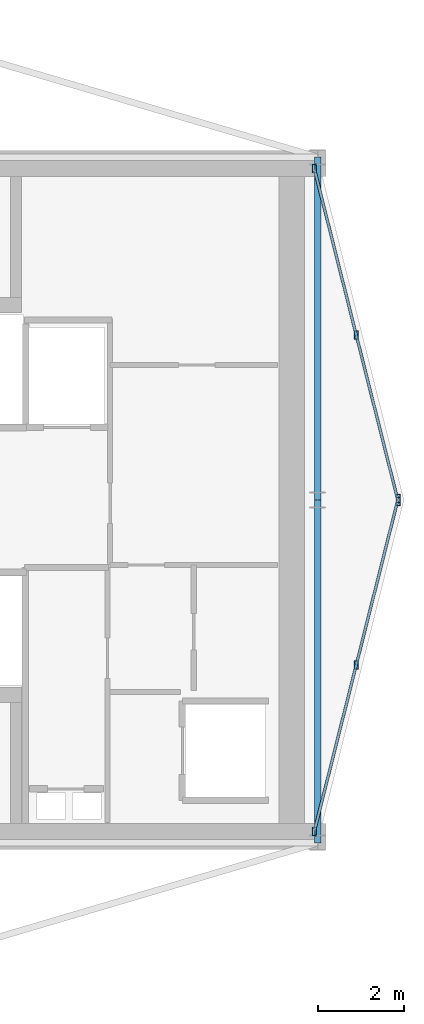
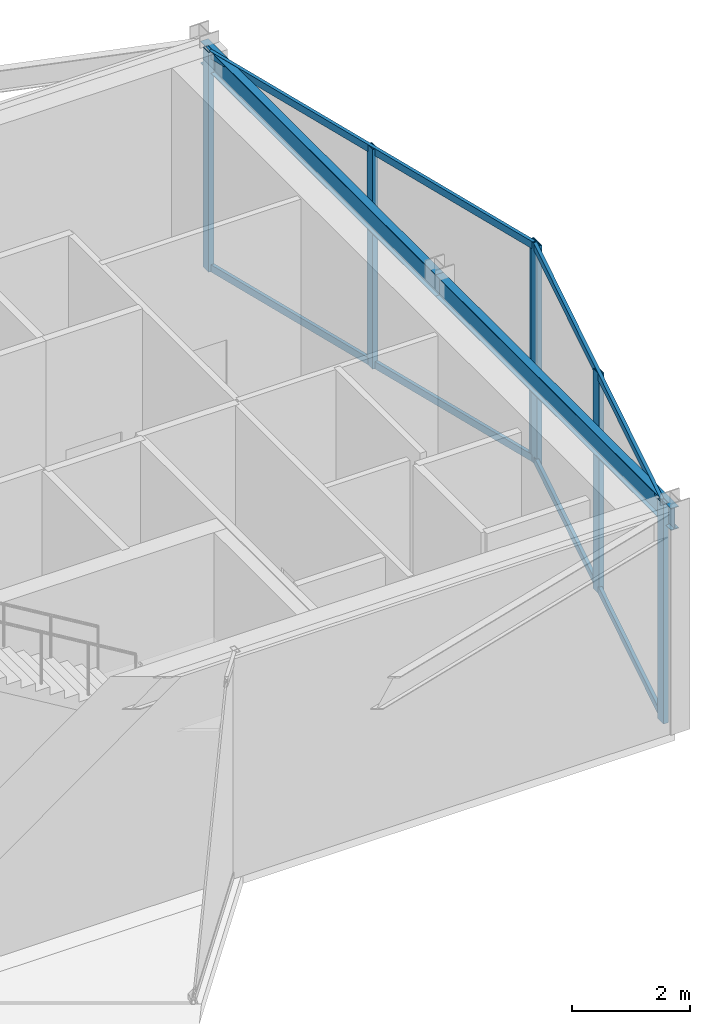
# One storey, part 8 of 15: 10 members, 2 beams, 2 elements without a shape of their own.
"""IFC4 building model written with IfcOpenShell, lengths in metres."""

from ifc_helpers import new_model, si_unit, direction, frame, origin, origin_2d, place, context, subcontext, project, spatial, hollow_rectangle, i_section, extrude, material, layer, layer_set, material_profile, profile_set, type_object, element, aggregate, save


model = new_model("IFC4")

# Units and contexts
model_context = context("Model", 3, precision=1e-05, world=origin(), true_north=direction((0.0, 1.0)))
body_context = subcontext(model_context, "Body", "Model", "MODEL_VIEW")
ifc_project = project(units=[si_unit("LENGTHUNIT", "METRE"), si_unit("AREAUNIT", "SQUARE_METRE"), si_unit("VOLUMEUNIT", "CUBIC_METRE"), si_unit("PLANEANGLEUNIT", "RADIAN"), si_unit("MASSUNIT", "GRAM", prefix="KILO")], contexts=[model_context])

# Site, building, storey
site_placement = place(None, origin())
site = spatial("IfcSite", under=ifc_project, at=site_placement, CompositionType="ELEMENT")
building_placement = place(site_placement, origin())
building = spatial("IfcBuilding", under=site, at=building_placement, Name="Veymaron Broadcast Tower", CompositionType="ELEMENT")
storey_placement = place(building_placement, frame((0.0, 0.0, 262.050048828125)))
storey = spatial("IfcBuildingStorey", under=building, at=storey_placement, Name="L61", CompositionType="ELEMENT", Elevation=262.050048828125)

# Beams
ifc_material_1 = material(Name="Structural steel ASTM A992 Gr 50", Category="steel")
ifc_material_profile_1 = material_profile(ifc_material_1, i_section(OverallWidth=0.154052734375, OverallDepth=0.458984375, WebThickness=0.009033203125, FlangeThickness=0.015380859375, at=origin_2d()), Name="W460X68")
ifc_profile_set_1 = profile_set([ifc_material_profile_1], Name="Structural steel ASTM A992 Gr 50")
beam_type = type_object("IfcBeamType", Name="BM-SP2", PredefinedType="SPANDREL", material=ifc_profile_set_1)
for number, where, z_axis, x_axis, name in (
    (1, (54.60009765625, 16.0, 4.33056640625), (0.0, 1.0, 0.0), (-1.0, 0.0, 0.0), "L61 primary structural floor girder"),
    (2, (54.60009765625, 24.0, 4.33056640625), (0.0, 1.0, 0.0), (-1.0, 0.0, 0.0), "L61 primary structural floor girder"),
):
    element("IfcBeam", number, at=place(storey_placement, frame(where, z_axis=z_axis, x_axis=x_axis)), inside=storey, type_object=beam_type, Name=name, PredefinedType="SPANDREL", context=body_context, shape_type="SweptSolid", body=[
        extrude(i_section(OverallWidth=0.154052734375, OverallDepth=0.458984375, WebThickness=0.009033203125, FlangeThickness=0.015380859375, at=origin_2d()), origin(), (0.0, 0.0, 1.0), 8.0),
    ])

# Curtain wall, members
ifc_material_2 = material(Name="Anodised aluminium AA 6063-T6 and laminated low-E dark glass", Category="aluminium")
ifc_layer = layer(ifc_material_2, 0.179931640625)
ifc_layer_set = layer_set([ifc_layer], Name="Anodised aluminium AA 6063-T6 and laminated low-E dark glass")
curtain_wall_type = type_object("IfcCurtainWallType", Name="CW-SYS-04", PredefinedType="NOTDEFINED", material=ifc_layer_set)
curtain_wall_1_placement = place(storey_placement, origin())
curtain_wall_1 = element("IfcCurtainWall", 3, at=curtain_wall_1_placement, inside=storey, type_object=curtain_wall_type, Name="L61 dark-glass curtain wall CW-L61-E2-1", PredefinedType="NOTDEFINED")
ifc_material_3 = material(Name="Anodised aluminium AA 6063-T6", Category="aluminium")
ifc_material_profile_2 = material_profile(ifc_material_3, hollow_rectangle(XDim=0.10009765625, YDim=0.199951171875, WallThickness=0.010009765625, at=origin_2d()), Name="RHS200X100X10")
ifc_profile_set_2 = profile_set([ifc_material_profile_2], Name="Anodised aluminium AA 6063-T6")
member_type_1 = type_object("IfcMemberType", Name="CW-MUL-01", PredefinedType="MULLION", material=ifc_profile_set_2)
member_1_placement = place(storey_placement, frame((54.523193359375, 16.268798828125, 0.0), z_axis=(0.0, 0.0, 1.0), x_axis=(1.0, 0.0, 0.0)))
member_1 = element("IfcMember", 4, at=member_1_placement, type_object=member_type_1, Name="CW-L61-E2-1 mullion 0", PredefinedType="MULLION", context=body_context, shape_type="SweptSolid", body=[
    extrude(hollow_rectangle(XDim=0.10009765625, YDim=0.199951171875, WallThickness=0.010009765625, at=origin_2d()), origin(), (0.0, 0.0, 1.0), 4.56005859375),
])
member_2_placement = place(storey_placement, frame((55.501708984375, 20.151611328125, 0.0), z_axis=(0.0, 0.0, 1.0), x_axis=(1.0, 0.0, 0.0)))
member_2 = element("IfcMember", 5, at=member_2_placement, type_object=member_type_1, Name="CW-L61-E2-1 mullion 1", PredefinedType="MULLION", context=body_context, shape_type="SweptSolid", body=[
    extrude(hollow_rectangle(XDim=0.10009765625, YDim=0.199951171875, WallThickness=0.010009765625, at=origin_2d()), origin(), (0.0, 0.0, 1.0), 4.56005859375),
])
member_3_placement = place(storey_placement, frame((56.480224609375, 24.0341796875, 0.0), z_axis=(0.0, 0.0, 1.0), x_axis=(1.0, 0.0, 0.0)))
member_3 = element("IfcMember", 6, at=member_3_placement, type_object=member_type_1, Name="CW-L61-E2-1 mullion 2", PredefinedType="MULLION", context=body_context, shape_type="SweptSolid", body=[
    extrude(hollow_rectangle(XDim=0.10009765625, YDim=0.199951171875, WallThickness=0.010009765625, at=origin_2d()), origin(), (0.0, 0.0, 1.0), 4.56005859375),
])

curtain_wall_2_placement = place(storey_placement, origin())
curtain_wall_2 = element("IfcCurtainWall", 7, at=curtain_wall_2_placement, inside=storey, type_object=curtain_wall_type, Name="L61 dark-glass curtain wall CW-L61-E3-1", PredefinedType="NOTDEFINED")
member_4_placement = place(storey_placement, frame((56.480224609375, 23.9658203125, 0.0), z_axis=(0.0, 0.0, 1.0), x_axis=(1.0, 0.0, 0.0)))
member_4 = element("IfcMember", 8, at=member_4_placement, type_object=member_type_1, Name="CW-L61-E3-1 mullion 0", PredefinedType="MULLION", context=body_context, shape_type="SweptSolid", body=[
    extrude(hollow_rectangle(XDim=0.10009765625, YDim=0.199951171875, WallThickness=0.010009765625, at=origin_2d()), origin(), (0.0, 0.0, 1.0), 4.56005859375),
])
member_5_placement = place(storey_placement, frame((55.501708984375, 27.848388671875, 0.0), z_axis=(0.0, 0.0, 1.0), x_axis=(1.0, 0.0, 0.0)))
member_5 = element("IfcMember", 9, at=member_5_placement, type_object=member_type_1, Name="CW-L61-E3-1 mullion 1", PredefinedType="MULLION", context=body_context, shape_type="SweptSolid", body=[
    extrude(hollow_rectangle(XDim=0.10009765625, YDim=0.199951171875, WallThickness=0.010009765625, at=origin_2d()), origin(), (0.0, 0.0, 1.0), 4.56005859375),
])
member_6_placement = place(storey_placement, frame((54.523193359375, 31.731201171875, 0.0), z_axis=(0.0, 0.0, 1.0), x_axis=(1.0, 0.0, 0.0)))
member_6 = element("IfcMember", 10, at=member_6_placement, type_object=member_type_1, Name="CW-L61-E3-1 mullion 2", PredefinedType="MULLION", context=body_context, shape_type="SweptSolid", body=[
    extrude(hollow_rectangle(XDim=0.10009765625, YDim=0.199951171875, WallThickness=0.010009765625, at=origin_2d()), origin(), (0.0, 0.0, 1.0), 4.56005859375),
])

# Member
ifc_material_profile_3 = material_profile(ifc_material_3, hollow_rectangle(XDim=0.06494140625, YDim=0.14990234375, WallThickness=0.00390625, at=origin_2d()), Name="AL150X65X4")
ifc_profile_set_3 = profile_set([ifc_material_profile_3], Name="Anodised aluminium AA 6063-T6")
member_type_2 = type_object("IfcMemberType", Name="CW-TRN-01", PredefinedType="USERDEFINED", material=ifc_profile_set_3)
member_7_placement = place(storey_placement, frame((54.535400390625, 16.3173828125, 0.070068359375), z_axis=(0.244387539218, 0.96967764266, 0.0), x_axis=(-0.96967764266, 0.244387539218, 0.0)))
member_7 = element("IfcMember", 11, at=member_7_placement, type_object=member_type_2, Name="CW-L61-E2-1 transom B", ObjectType="TRANSOM", PredefinedType="USERDEFINED", context=body_context, shape_type="SweptSolid", body=[
    extrude(hollow_rectangle(XDim=0.06494140625, YDim=0.14990234375, WallThickness=0.00390625, at=origin_2d()), origin(), (0.0, 0.0, 1.0), 7.907958984375),
])

member_8_placement = place(storey_placement, frame((54.535400390625, 16.3173828125, 4.489990234375), z_axis=(0.244387539218, 0.96967764266, 0.0), x_axis=(-0.96967764266, 0.244387539218, 0.0)))
member_8 = element("IfcMember", 12, at=member_8_placement, type_object=member_type_2, Name="CW-L61-E2-1 transom T", ObjectType="TRANSOM", PredefinedType="USERDEFINED", context=body_context, shape_type="SweptSolid", body=[
    extrude(hollow_rectangle(XDim=0.06494140625, YDim=0.14990234375, WallThickness=0.00390625, at=origin_2d()), origin(), (0.0, 0.0, 1.0), 7.907958984375),
])

aggregate(curtain_wall_1, [member_1, member_2, member_3, member_7, member_8])

member_9_placement = place(storey_placement, frame((56.468017578125, 24.014404296875, 0.070068359375), z_axis=(-0.244387539218, 0.96967764266, 0.0), x_axis=(-0.96967764266, -0.244387539218, 0.0)))
member_9 = element("IfcMember", 13, at=member_9_placement, type_object=member_type_2, Name="CW-L61-E3-1 transom B", ObjectType="TRANSOM", PredefinedType="USERDEFINED", context=body_context, shape_type="SweptSolid", body=[
    extrude(hollow_rectangle(XDim=0.06494140625, YDim=0.14990234375, WallThickness=0.00390625, at=origin_2d()), origin(), (0.0, 0.0, 1.0), 7.907958984375),
])

member_10_placement = place(storey_placement, frame((56.468017578125, 24.014404296875, 4.489990234375), z_axis=(-0.244387539218, 0.96967764266, 0.0), x_axis=(-0.96967764266, -0.244387539218, 0.0)))
member_10 = element("IfcMember", 14, at=member_10_placement, type_object=member_type_2, Name="CW-L61-E3-1 transom T", ObjectType="TRANSOM", PredefinedType="USERDEFINED", context=body_context, shape_type="SweptSolid", body=[
    extrude(hollow_rectangle(XDim=0.06494140625, YDim=0.14990234375, WallThickness=0.00390625, at=origin_2d()), origin(), (0.0, 0.0, 1.0), 7.907958984375),
])

aggregate(curtain_wall_2, [member_4, member_5, member_6, member_9, member_10])

save(model, "model.ifc")
